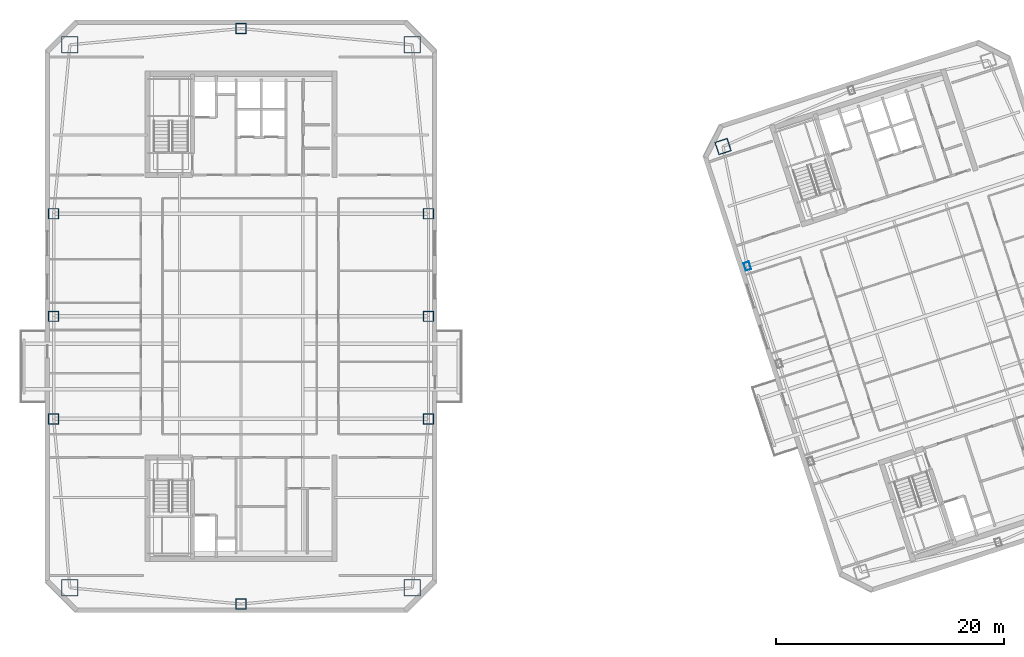
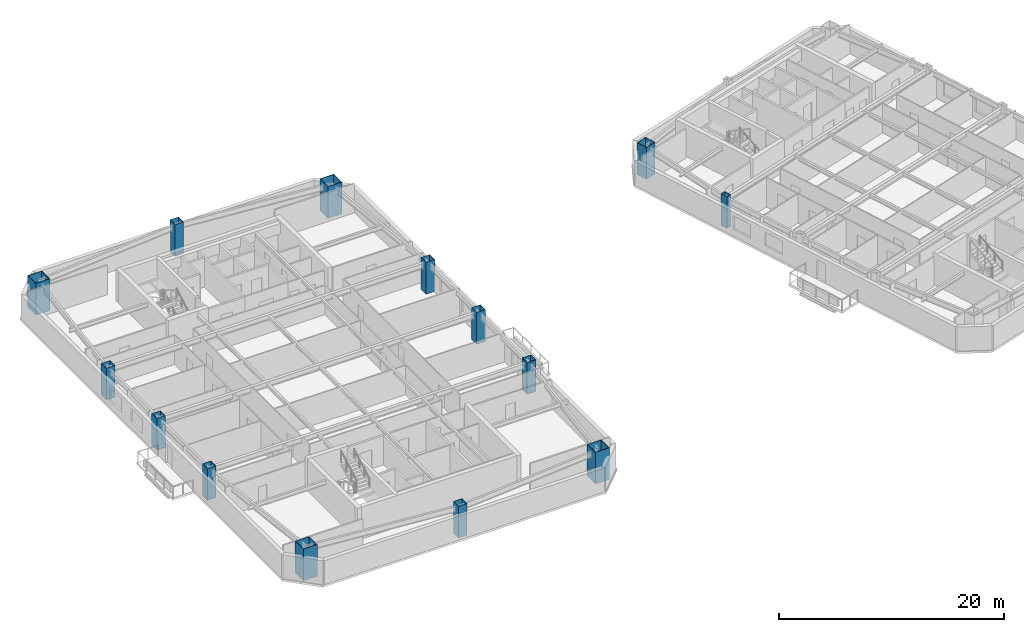
# One storey, part 1 of 15: 14 columns.
"""IFC4 building model written with IfcOpenShell, lengths in metres."""

from ifc_helpers import new_model, si_unit, direction, frame, origin, origin_2d, place, context, subcontext, project, spatial, hollow_rectangle, extrude, material, material_profile, profile_set, type_object, element, save


model = new_model("IFC4")

# Units and contexts
model_context = context("Model", 3, precision=1e-05, world=origin(), true_north=direction((0.0, 1.0)))
body_context = subcontext(model_context, "Body", "Model", "MODEL_VIEW")
ifc_project = project(units=[si_unit("LENGTHUNIT", "METRE"), si_unit("AREAUNIT", "SQUARE_METRE"), si_unit("VOLUMEUNIT", "CUBIC_METRE"), si_unit("PLANEANGLEUNIT", "RADIAN"), si_unit("MASSUNIT", "GRAM", prefix="KILO")], contexts=[model_context])

# Site, building, storey
site_placement = place(None, origin())
site = spatial("IfcSite", under=ifc_project, at=site_placement, CompositionType="ELEMENT")
building_placement = place(site_placement, origin())
building = spatial("IfcBuilding", under=site, at=building_placement, Name="Qiaolan Cultural Towers", CompositionType="ELEMENT")
storey_placement = place(building_placement, frame((0.0, 0.0, 209.300048828125)))
storey = spatial("IfcBuildingStorey", under=building, at=storey_placement, Name="L56", CompositionType="ELEMENT", Elevation=209.300048828125)

# Columns
ifc_material_1 = material(Name="Steel Q390GJB", Category="steel")
ifc_material_profile_1 = material_profile(ifc_material_1, hollow_rectangle(XDim=1.14990234375, YDim=1.14990234375, WallThickness=0.0400390625, at=origin_2d()), Name="BOX1150x1150x40")
ifc_profile_set_1 = profile_set([ifc_material_profile_1], Name="Steel Q390GJB")
column_type_1 = type_object("IfcColumnType", Name="COL-BOX1150x1150x40", PredefinedType="COLUMN", material=ifc_profile_set_1)
column_1_placement = place(storey_placement, frame((72.2900390625, 48.896484375, 0.0), z_axis=(0.0, 0.0, 1.0), x_axis=(0.951056516295, 0.309016994375, 0.0)))
element("IfcColumn", 1, at=column_1_placement, inside=storey, type_object=column_type_1, Name="L56 T2 Perimeter Column MC-NW", PredefinedType="COLUMN", context=body_context, shape_type="SweptSolid", body=[
    extrude(hollow_rectangle(XDim=1.14990234375, YDim=1.14990234375, WallThickness=0.0400390625, at=origin_2d()), origin(), (0.0, 0.0, 1.0), 3.450927734375),
])
ifc_material_2 = material(Name="Steel Q420GJB", Category="steel")
ifc_material_profile_2 = material_profile(ifc_material_2, hollow_rectangle(XDim=1.449951171875, YDim=1.449951171875, WallThickness=0.050048828125, at=origin_2d()), Name="BOX1450x1450x50")
ifc_profile_set_2 = profile_set([ifc_material_profile_2], Name="Steel Q420GJB")
column_type_2 = type_object("IfcColumnType", Name="COL-BOX1450x1450x50", PredefinedType="COLUMN", material=ifc_profile_set_2)
for number, where, z_axis, x_axis, name in (
    (2, (14.97998046875, 10.179931640625, 0.0), (0.0, 0.0, 1.0), (1.0, 0.0, 0.0), "L56 T1 Perimeter Column MC-SW"),
    (3, (45.02001953125, 10.179931640625, 0.0), (0.0, 0.0, 1.0), (1.0, 0.0, 0.0), "L56 T1 Perimeter Column MC-SE"),
    (4, (45.02001953125, 57.820068359375, 0.0), (0.0, 0.0, 1.0), (1.0, 0.0, 0.0), "L56 T1 Perimeter Column MC-NE"),
    (5, (14.97998046875, 57.820068359375, 0.0), (0.0, 0.0, 1.0), (1.0, 0.0, 0.0), "L56 T1 Perimeter Column MC-NW"),
):
    element("IfcColumn", number, at=place(storey_placement, frame(where, z_axis=z_axis, x_axis=x_axis)), inside=storey, type_object=column_type_2, Name=name, PredefinedType="COLUMN", context=body_context, shape_type="SweptSolid", body=[
        extrude(hollow_rectangle(XDim=1.449951171875, YDim=1.449951171875, WallThickness=0.050048828125, at=origin_2d()), origin(), (0.0, 0.0, 1.0), 3.450927734375),
    ])
ifc_material_3 = material(Name="Steel Q355B", Category="steel")
ifc_material_profile_3 = material_profile(ifc_material_3, hollow_rectangle(XDim=0.5, YDim=0.699951171875, WallThickness=0.02490234375, at=origin_2d()), Name="BOX700x500x25")
ifc_profile_set_3 = profile_set([ifc_material_profile_3], Name="Steel Q355B")
column_type_3 = type_object("IfcColumnType", Name="COL-BOX700x500x25", PredefinedType="COLUMN", material=ifc_profile_set_3)
column_2_placement = place(storey_placement, frame((74.42724609375, 38.4033203125, 0.0), z_axis=(0.0, 0.0, 1.0), x_axis=(0.951056516295, 0.309016994375, 0.0)))
element("IfcColumn", 6, at=column_2_placement, inside=storey, type_object=column_type_3, Name="L56 T2 Perimeter Column PC-W3", PredefinedType="COLUMN", context=body_context, shape_type="SweptSolid", body=[
    extrude(hollow_rectangle(XDim=0.5, YDim=0.699951171875, WallThickness=0.02490234375, at=origin_2d()), origin(), (0.0, 0.0, 1.0), 3.450927734375),
])
ifc_material_4 = material(Name="Steel Q355B", Category="steel")
ifc_material_profile_4 = material_profile(ifc_material_4, hollow_rectangle(XDim=0.89990234375, YDim=0.89990234375, WallThickness=0.031982421875, at=origin_2d()), Name="BOX900x900x32")
ifc_profile_set_4 = profile_set([ifc_material_profile_4], Name="Steel Q355B")
column_type_4 = type_object("IfcColumnType", Name="COL-BOX900x900x32", PredefinedType="COLUMN", material=ifc_profile_set_4)
for number, where, z_axis, x_axis, name in (
    (7, (13.550048828125, 25.0, 0.0), (0.0, 0.0, 1.0), (1.0, 0.0, 0.0), "L56 T1 Perimeter Column PC-W1"),
    (8, (13.550048828125, 34.0, 0.0), (0.0, 0.0, 1.0), (1.0, 0.0, 0.0), "L56 T1 Perimeter Column PC-W2"),
    (9, (13.550048828125, 43.0, 0.0), (0.0, 0.0, 1.0), (1.0, 0.0, 0.0), "L56 T1 Perimeter Column PC-W3"),
    (10, (46.449951171875, 25.0, 0.0), (0.0, 0.0, 1.0), (1.0, 0.0, 0.0), "L56 T1 Perimeter Column PC-E1"),
    (11, (46.449951171875, 34.0, 0.0), (0.0, 0.0, 1.0), (1.0, 0.0, 0.0), "L56 T1 Perimeter Column PC-E2"),
    (12, (46.449951171875, 43.0, 0.0), (0.0, 0.0, 1.0), (1.0, 0.0, 0.0), "L56 T1 Perimeter Column PC-E3"),
    (13, (30.0, 8.75, 0.0), (0.0, 0.0, 1.0), (1.0, 0.0, 0.0), "L56 T1 Perimeter Column PC-S0"),
    (14, (30.0, 59.25, 0.0), (0.0, 0.0, 1.0), (1.0, 0.0, 0.0), "L56 T1 Perimeter Column PC-N0"),
):
    element("IfcColumn", number, at=place(storey_placement, frame(where, z_axis=z_axis, x_axis=x_axis)), inside=storey, type_object=column_type_4, Name=name, PredefinedType="COLUMN", context=body_context, shape_type="SweptSolid", body=[
        extrude(hollow_rectangle(XDim=0.89990234375, YDim=0.89990234375, WallThickness=0.031982421875, at=origin_2d()), origin(), (0.0, 0.0, 1.0), 3.450927734375),
    ])

save(model, "model.ifc")
